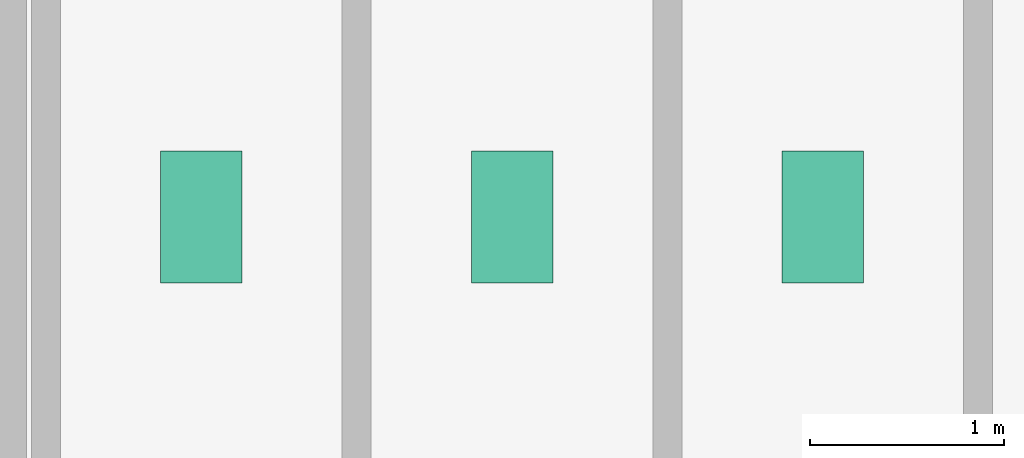
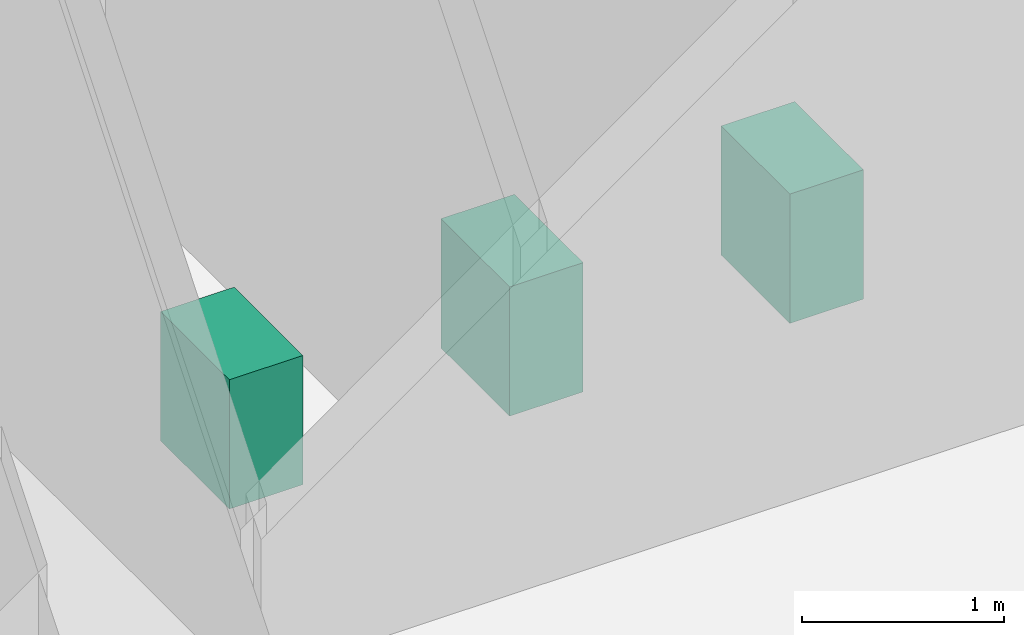
# One storey, part 22 of 22: 3 sanitary terminals.
"""IFC4 building model written with IfcOpenShell, lengths in metres."""

from ifc_helpers import new_model, si_unit, derived_unit, direction, frame, origin, origin_2d, place, context, subcontext, project, spatial, rectangle, extrude, source, transform, mapped, material, type_object, element, save


model = new_model("IFC4")

# Units and contexts
model_context = context("Model", 3, precision=1e-05, world=origin(), true_north=direction((0.0, 1.0)))
body_context = subcontext(model_context, "Body", "Model", "MODEL_VIEW")
ifc_project = project(units=[si_unit("LENGTHUNIT", "METRE"), si_unit("AREAUNIT", "SQUARE_METRE"), si_unit("VOLUMEUNIT", "CUBIC_METRE"), si_unit("PLANEANGLEUNIT", "RADIAN"), si_unit("MASSUNIT", "GRAM", prefix="KILO"), derived_unit("THERMALTRANSMITTANCEUNIT", [(si_unit("POWERUNIT", "WATT"), 1), (si_unit("LENGTHUNIT", "METRE"), -2), (si_unit("THERMODYNAMICTEMPERATUREUNIT", "KELVIN"), -1)])], contexts=[model_context])

# Site, building, storey
site_placement = place(None, origin())
site = spatial("IfcSite", under=ifc_project, at=site_placement, CompositionType="ELEMENT")
building_placement = place(site_placement, origin())
building = spatial("IfcBuilding", under=site, at=building_placement, Name="Skarnbrae Concourse Arena and Tower", CompositionType="ELEMENT")
storey_placement = place(building_placement, frame((0.0, 0.0, 36.14990234375)))
storey = spatial("IfcBuildingStorey", under=building, at=storey_placement, Name="L07", CompositionType="ELEMENT", Elevation=36.14990234375)

# Sanitary terminals
ifc_material = material(Name="Vitreous china sanitaryware", Category="other")
sanitary_terminal_type = type_object("IfcSanitaryTerminalType", Name="SAN-WC-VITREOUS", PredefinedType="TOILETPAN", material=ifc_material)
shared_shape = source(origin(), body_context, "Body", "SweptSolid", [
    extrude(rectangle(XDim=0.419921875, YDim=0.679931640625, at=origin_2d()), origin(), (0.0, 0.0, 1.0), 0.780029296875),
])
for number, where, z_axis, x_axis, name in (
    (1, (35.0, 11.39990234375, 0.0), (0.0, 0.0, 1.0), (1.0, 0.0, 0.0), "L07 Washroom WC fixture 1"),
    (2, (36.60009765625, 11.39990234375, 0.0), (0.0, 0.0, 1.0), (1.0, 0.0, 0.0), "L07 Washroom WC fixture 2"),
    (3, (38.199951171875, 11.39990234375, 0.0), (0.0, 0.0, 1.0), (1.0, 0.0, 0.0), "L07 Washroom WC fixture 3"),
):
    element("IfcSanitaryTerminal", number, at=place(storey_placement, frame(where, z_axis=z_axis, x_axis=x_axis)), inside=storey, type_object=sanitary_terminal_type, Name=name, PredefinedType="TOILETPAN", context=body_context, shape_type="MappedRepresentation", body=[
        mapped(shared_shape, transform((0.0, 0.0, 0.0))),
    ])

save(model, "model.ifc")
